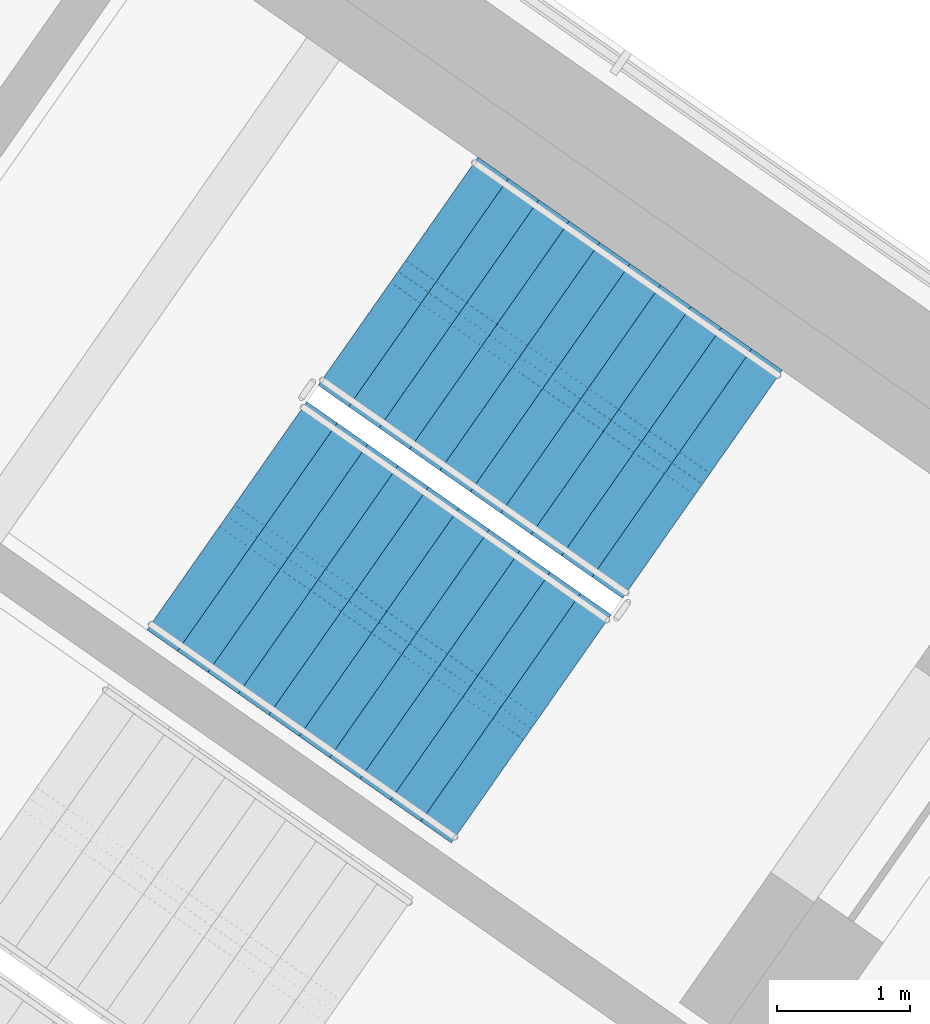
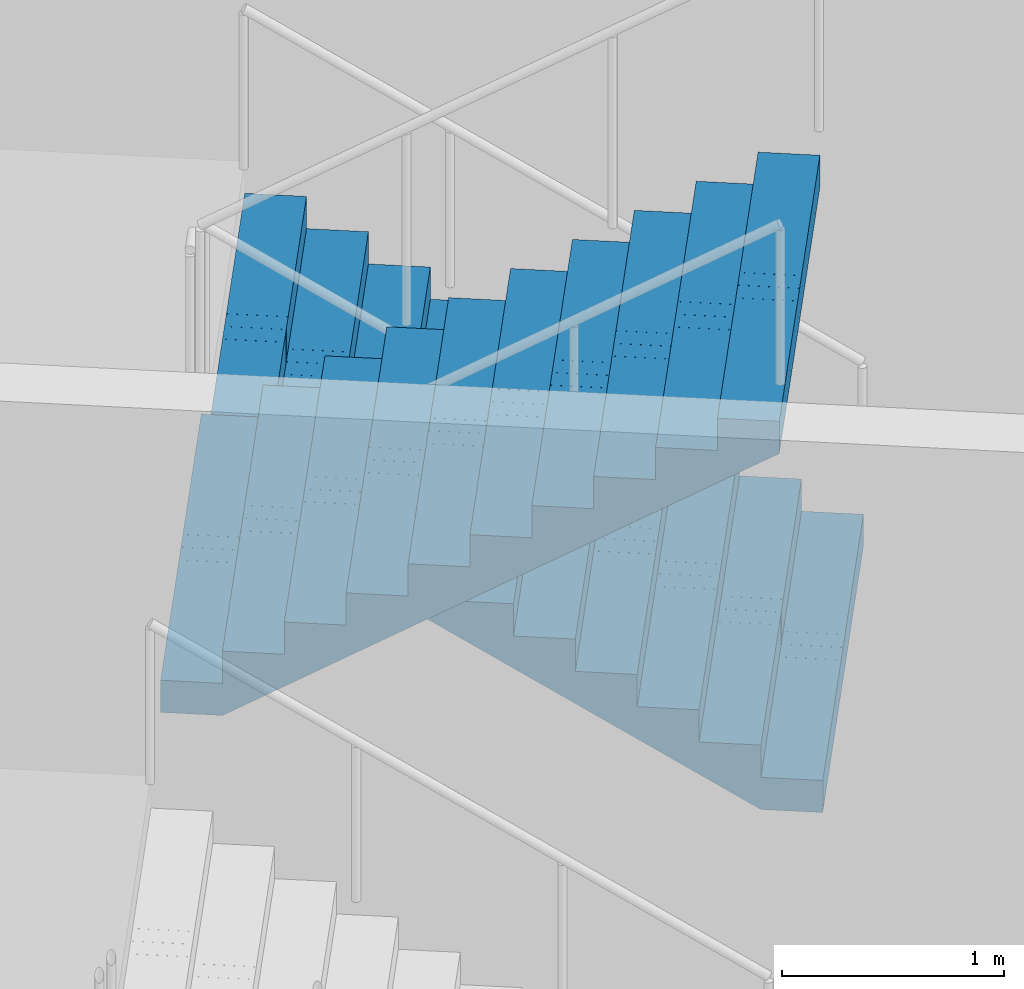
# One storey, part 15 of 20: 2 stair flights, 1 element without a shape of its own.
"""IFC4 building model written with IfcOpenShell, lengths in metres."""

from ifc_helpers import new_model, si_unit, direction, frame, origin, place, context, subcontext, project, spatial, polyline, outline, extrude, material, type_object, element, aggregate, save


model = new_model("IFC4")

# Units and contexts
model_context = context("Model", 3, precision=1e-05, world=origin(), true_north=direction((0.0, 1.0)))
body_context = subcontext(model_context, "Body", "Model", "MODEL_VIEW")
ifc_project = project(units=[si_unit("LENGTHUNIT", "METRE"), si_unit("AREAUNIT", "SQUARE_METRE"), si_unit("VOLUMEUNIT", "CUBIC_METRE"), si_unit("PLANEANGLEUNIT", "RADIAN"), si_unit("MASSUNIT", "GRAM", prefix="KILO")], contexts=[model_context])

# Site, building, storey
site_placement = place(None, origin())
site = spatial("IfcSite", under=ifc_project, at=site_placement, CompositionType="ELEMENT")
building_placement = place(site_placement, origin())
building = spatial("IfcBuilding", under=site, at=building_placement, Name="Tel Ilan Convention Tower", CompositionType="ELEMENT")
storey_placement = place(building_placement, frame((0.0, 0.0, 233.199951171875)))
storey = spatial("IfcBuildingStorey", under=building, at=storey_placement, Name="L54", CompositionType="ELEMENT", Elevation=233.199951171875)

# Stair, stair flights
ifc_material_1 = material(Name="Concrete C40/50", Category="concrete")
stair_type = type_object("IfcStairType", Name="Pressurised Exit Stair 22 risers 177 mm", PredefinedType="HALF_TURN_STAIR", material=ifc_material_1)
stair_placement = place(storey_placement, origin())
stair = element("IfcStair", 1, at=stair_placement, inside=storey, type_object=stair_type, Name="L54 Pressurised Stair S3", PredefinedType="HALF_TURN_STAIR")
ifc_material_2 = material(Name="Precast Concrete C40/50", Category="concrete")
stair_flight_type = type_object("IfcStairFlightType", Name="Concrete Stair Flight 2100 mm 22 risers 177 mm", PredefinedType="STRAIGHT", material=ifc_material_2)
stair_flight_1_placement = place(storey_placement, frame((24.25244140625, -7.032470703125, 0.0), z_axis=(0.0, 0.0, 1.0), x_axis=(-0.819152044289, 0.573576436351, 0.0)))
stair_flight_1 = element("IfcStairFlight", 2, at=stair_flight_1_placement, type_object=stair_flight_type, Name="S3 flight 1", NumberOfRisers=11, NumberOfTreads=10, PredefinedType="STRAIGHT", RiserHeight=0.177272727, TreadLength=0.28, context=body_context, shape_type="SweptSolid", body=[
    extrude(outline(polyline([(0.0, 0.0), (0.0, 0.17724609375), (0.280029296875, 0.17724609375), (0.280029296875, 0.3544921875), (0.56005859375, 0.3544921875), (0.56005859375, 0.53173828125), (0.840087890625, 0.53173828125), (0.840087890625, 0.708984375), (1.1201171875, 0.708984375), (1.1201171875, 0.886474609375), (1.39990234375, 0.886474609375), (1.39990234375, 1.063720703125), (1.679931640625, 1.063720703125), (1.679931640625, 1.240966796875), (1.9599609375, 1.240966796875), (1.9599609375, 1.418212890625), (2.239990234375, 1.418212890625), (2.239990234375, 1.595458984375), (2.52001953125, 1.595458984375), (2.52001953125, 1.772705078125), (2.800048828125, 1.772705078125), (2.800048828125, 1.949951171875), (2.800048828125, 1.59521484375), (0.2802734375, 0.0), (0.0, 0.0)])), frame((0.0, -0.100341796875, 0.0), z_axis=(0.0, -1.0, 0.0), x_axis=(1.0, 0.0, 0.0)), (0.0, 0.0, 1.0), 0.94970703125),
    extrude(outline(polyline([(0.0, 0.0), (0.0, 0.17724609375), (0.280029296875, 0.17724609375), (0.280029296875, 0.3544921875), (0.56005859375, 0.3544921875), (0.56005859375, 0.53173828125), (0.840087890625, 0.53173828125), (0.840087890625, 0.708984375), (1.1201171875, 0.708984375), (1.1201171875, 0.886474609375), (1.39990234375, 0.886474609375), (1.39990234375, 1.063720703125), (1.679931640625, 1.063720703125), (1.679931640625, 1.240966796875), (1.9599609375, 1.240966796875), (1.9599609375, 1.418212890625), (2.239990234375, 1.418212890625), (2.239990234375, 1.595458984375), (2.52001953125, 1.595458984375), (2.52001953125, 1.772705078125), (2.800048828125, 1.772705078125), (2.800048828125, 1.949951171875), (2.800048828125, 1.59521484375), (0.2802734375, 0.0), (0.0, 0.0)])), frame((0.0, -0.000244140625, 0.0), z_axis=(0.0, -1.0, 0.0), x_axis=(1.0, 0.0, 0.0)), (0.0, 0.0, 1.0), 0.099609375),
    extrude(outline(polyline([(0.0, 0.0), (0.0, 0.17724609375), (0.280029296875, 0.17724609375), (0.280029296875, 0.3544921875), (0.56005859375, 0.3544921875), (0.56005859375, 0.53173828125), (0.840087890625, 0.53173828125), (0.840087890625, 0.708984375), (1.1201171875, 0.708984375), (1.1201171875, 0.886474609375), (1.39990234375, 0.886474609375), (1.39990234375, 1.063720703125), (1.679931640625, 1.063720703125), (1.679931640625, 1.240966796875), (1.9599609375, 1.240966796875), (1.9599609375, 1.418212890625), (2.239990234375, 1.418212890625), (2.239990234375, 1.595458984375), (2.52001953125, 1.595458984375), (2.52001953125, 1.772705078125), (2.800048828125, 1.772705078125), (2.800048828125, 1.949951171875), (2.800048828125, 1.59521484375), (0.2802734375, 0.0), (0.0, 0.0)])), frame((0.0, 0.099853515625, 0.0), z_axis=(0.0, -1.0, 0.0), x_axis=(1.0, 0.0, 0.0)), (0.0, 0.0, 1.0), 0.099609375),
    extrude(outline(polyline([(0.0, 0.0), (0.0, 0.17724609375), (0.280029296875, 0.17724609375), (0.280029296875, 0.3544921875), (0.56005859375, 0.3544921875), (0.56005859375, 0.53173828125), (0.840087890625, 0.53173828125), (0.840087890625, 0.708984375), (1.1201171875, 0.708984375), (1.1201171875, 0.886474609375), (1.39990234375, 0.886474609375), (1.39990234375, 1.063720703125), (1.679931640625, 1.063720703125), (1.679931640625, 1.240966796875), (1.9599609375, 1.240966796875), (1.9599609375, 1.418212890625), (2.239990234375, 1.418212890625), (2.239990234375, 1.595458984375), (2.52001953125, 1.595458984375), (2.52001953125, 1.772705078125), (2.800048828125, 1.772705078125), (2.800048828125, 1.949951171875), (2.800048828125, 1.59521484375), (0.2802734375, 0.0), (0.0, 0.0)])), frame((0.0, 1.050048828125, 0.0), z_axis=(0.0, -1.0, 0.0), x_axis=(1.0, 0.0, 0.0)), (0.0, 0.0, 1.0), 0.94970703125),
])
stair_flight_2_placement = place(storey_placement, frame((20.668212890625, -7.26953125, 1.949951171875), z_axis=(0.0, 0.0, 1.0), x_axis=(0.819152044289, -0.573576436351, 0.0)))
stair_flight_2 = element("IfcStairFlight", 3, at=stair_flight_2_placement, type_object=stair_flight_type, Name="S3 flight 2", NumberOfRisers=11, NumberOfTreads=10, PredefinedType="STRAIGHT", RiserHeight=0.177272727, TreadLength=0.28, context=body_context, shape_type="SweptSolid", body=[
    extrude(outline(polyline([(0.0, 0.0), (0.0, 0.17724609375), (0.280029296875, 0.17724609375), (0.280029296875, 0.3544921875), (0.56005859375, 0.3544921875), (0.56005859375, 0.53173828125), (0.840087890625, 0.53173828125), (0.840087890625, 0.708984375), (1.1201171875, 0.708984375), (1.1201171875, 0.886474609375), (1.39990234375, 0.886474609375), (1.39990234375, 1.063720703125), (1.679931640625, 1.063720703125), (1.679931640625, 1.240966796875), (1.9599609375, 1.240966796875), (1.9599609375, 1.418212890625), (2.239990234375, 1.418212890625), (2.239990234375, 1.595458984375), (2.52001953125, 1.595458984375), (2.52001953125, 1.772705078125), (2.800048828125, 1.772705078125), (2.800048828125, 1.949951171875), (2.800048828125, 1.59521484375), (0.2802734375, 0.0), (0.0, 0.0)])), frame((0.0, -0.100341796875, 0.0), z_axis=(0.0, -1.0, 0.0), x_axis=(1.0, 0.0, 0.0)), (0.0, 0.0, 1.0), 0.94970703125),
    extrude(outline(polyline([(0.0, 0.0), (0.0, 0.17724609375), (0.280029296875, 0.17724609375), (0.280029296875, 0.3544921875), (0.56005859375, 0.3544921875), (0.56005859375, 0.53173828125), (0.840087890625, 0.53173828125), (0.840087890625, 0.708984375), (1.1201171875, 0.708984375), (1.1201171875, 0.886474609375), (1.39990234375, 0.886474609375), (1.39990234375, 1.063720703125), (1.679931640625, 1.063720703125), (1.679931640625, 1.240966796875), (1.9599609375, 1.240966796875), (1.9599609375, 1.418212890625), (2.239990234375, 1.418212890625), (2.239990234375, 1.595458984375), (2.52001953125, 1.595458984375), (2.52001953125, 1.772705078125), (2.800048828125, 1.772705078125), (2.800048828125, 1.949951171875), (2.800048828125, 1.59521484375), (0.2802734375, 0.0), (0.0, 0.0)])), frame((0.0, -0.000244140625, 0.0), z_axis=(0.0, -1.0, 0.0), x_axis=(1.0, 0.0, 0.0)), (0.0, 0.0, 1.0), 0.099609375),
    extrude(outline(polyline([(0.0, 0.0), (0.0, 0.17724609375), (0.280029296875, 0.17724609375), (0.280029296875, 0.3544921875), (0.56005859375, 0.3544921875), (0.56005859375, 0.53173828125), (0.840087890625, 0.53173828125), (0.840087890625, 0.708984375), (1.1201171875, 0.708984375), (1.1201171875, 0.886474609375), (1.39990234375, 0.886474609375), (1.39990234375, 1.063720703125), (1.679931640625, 1.063720703125), (1.679931640625, 1.240966796875), (1.9599609375, 1.240966796875), (1.9599609375, 1.418212890625), (2.239990234375, 1.418212890625), (2.239990234375, 1.595458984375), (2.52001953125, 1.595458984375), (2.52001953125, 1.772705078125), (2.800048828125, 1.772705078125), (2.800048828125, 1.949951171875), (2.800048828125, 1.59521484375), (0.2802734375, 0.0), (0.0, 0.0)])), frame((0.0, 0.099853515625, 0.0), z_axis=(0.0, -1.0, 0.0), x_axis=(1.0, 0.0, 0.0)), (0.0, 0.0, 1.0), 0.099609375),
    extrude(outline(polyline([(0.0, 0.0), (0.0, 0.17724609375), (0.280029296875, 0.17724609375), (0.280029296875, 0.3544921875), (0.56005859375, 0.3544921875), (0.56005859375, 0.53173828125), (0.840087890625, 0.53173828125), (0.840087890625, 0.708984375), (1.1201171875, 0.708984375), (1.1201171875, 0.886474609375), (1.39990234375, 0.886474609375), (1.39990234375, 1.063720703125), (1.679931640625, 1.063720703125), (1.679931640625, 1.240966796875), (1.9599609375, 1.240966796875), (1.9599609375, 1.418212890625), (2.239990234375, 1.418212890625), (2.239990234375, 1.595458984375), (2.52001953125, 1.595458984375), (2.52001953125, 1.772705078125), (2.800048828125, 1.772705078125), (2.800048828125, 1.949951171875), (2.800048828125, 1.59521484375), (0.2802734375, 0.0), (0.0, 0.0)])), frame((0.0, 1.050048828125, 0.0), z_axis=(0.0, -1.0, 0.0), x_axis=(1.0, 0.0, 0.0)), (0.0, 0.0, 1.0), 0.94970703125),
])
aggregate(stair, [stair_flight_1, stair_flight_2])

save(model, "model.ifc")
